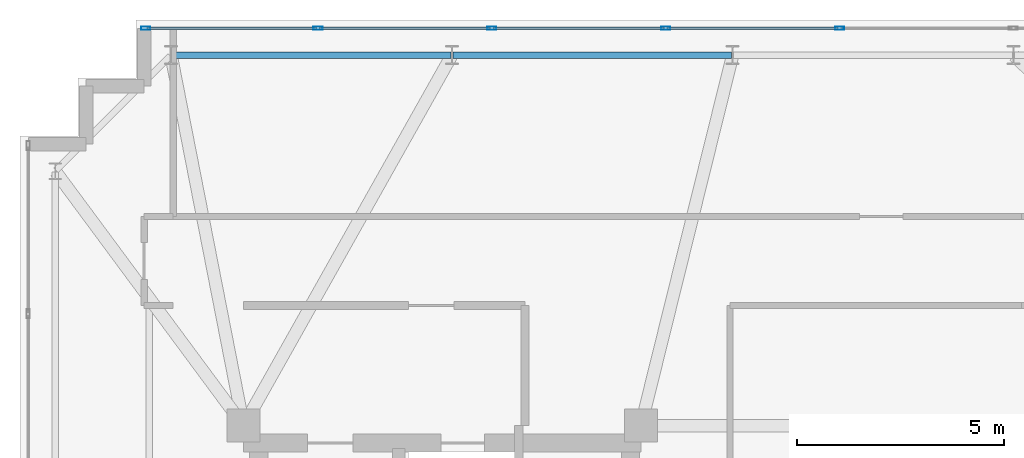
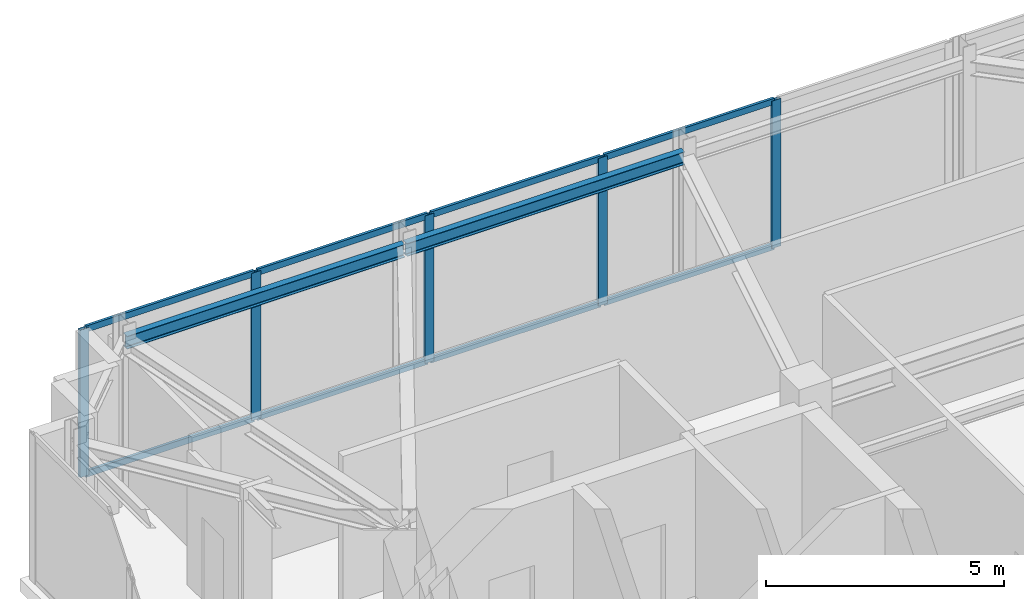
# One storey, part 15 of 24: 13 members, 2 beams, 1 element without a shape of its own.
"""IFC4 building model written with IfcOpenShell, lengths in metres."""

from ifc_helpers import new_model, si_unit, direction, frame, origin, origin_2d, place, context, subcontext, project, spatial, hollow_rectangle, i_section, extrude, material, layer, layer_set, material_profile, profile_set, type_object, element, aggregate, save


model = new_model("IFC4")

# Units and contexts
model_context = context("Model", 3, precision=1e-05, world=origin(), true_north=direction((0.0, 1.0)))
body_context = subcontext(model_context, "Body", "Model", "MODEL_VIEW")
ifc_project = project(units=[si_unit("LENGTHUNIT", "METRE"), si_unit("AREAUNIT", "SQUARE_METRE"), si_unit("VOLUMEUNIT", "CUBIC_METRE"), si_unit("PLANEANGLEUNIT", "RADIAN"), si_unit("MASSUNIT", "GRAM", prefix="KILO")], contexts=[model_context])

# Site, building, storey
site_placement = place(None, origin())
site = spatial("IfcSite", under=ifc_project, at=site_placement, CompositionType="ELEMENT")
building_placement = place(site_placement, origin())
building = spatial("IfcBuilding", under=site, at=building_placement, Name="Qobustan Lattice House", CompositionType="ELEMENT")
storey_placement = place(building_placement, frame((0.0, 0.0, 261.800048828125)))
storey = spatial("IfcBuildingStorey", under=building, at=storey_placement, Name="L74", CompositionType="ELEMENT", Elevation=261.800048828125)

# Beams
ifc_material_1 = material(Name="Steel S355", Category="steel")
ifc_material_profile_1 = material_profile(ifc_material_1, i_section(OverallWidth=0.159912109375, OverallDepth=0.330078125, WebThickness=0.007568359375, FlangeThickness=0.011474609375, FilletRadius=0.01806640625, at=origin_2d()), Name="IPE330")
ifc_profile_set_1 = profile_set([ifc_material_profile_1], Name="Steel S355")
beam_type = type_object("IfcBeamType", Name="BM-SPD-IPE330", PredefinedType="SPANDREL", material=ifc_profile_set_1)
beam_1_placement = place(storey_placement, frame((-7.00830078125, 14.550048828125, 3.614990234375), z_axis=(-1.0, 0.0, 0.0), x_axis=(0.0, -1.0, 0.0)))
element("IfcBeam", 1, at=beam_1_placement, inside=storey, type_object=beam_type, Name="L74 perimeter spandrel N5-N6", PredefinedType="SPANDREL", context=body_context, shape_type="SweptSolid", body=[
    extrude(i_section(OverallWidth=0.159912109375, OverallDepth=0.330078125, WebThickness=0.007568359375, FlangeThickness=0.011474609375, FilletRadius=0.01806640625, at=origin_2d()), origin(), (0.0, 0.0, 1.0), 6.7333984375),
])
beam_2_placement = place(storey_placement, frame((-13.791748046875, 14.550048828125, 3.614990234375), z_axis=(-1.0, 0.0, 0.0), x_axis=(0.0, -1.0, 0.0)))
element("IfcBeam", 2, at=beam_2_placement, inside=storey, type_object=beam_type, Name="L74 perimeter spandrel N6-N7", PredefinedType="SPANDREL", context=body_context, shape_type="SweptSolid", body=[
    extrude(i_section(OverallWidth=0.159912109375, OverallDepth=0.330078125, WebThickness=0.007568359375, FlangeThickness=0.011474609375, FilletRadius=0.01806640625, at=origin_2d()), origin(), (0.0, 0.0, 1.0), 6.733154296875),
])

# Curtain wall, members
ifc_material_2 = material(Name="Anodised aluminium and low-E glazing", Category="aluminium")
ifc_layer = layer(ifc_material_2, 0.219970703125)
ifc_layer_set = layer_set([ifc_layer], Name="Anodised aluminium and low-E glazing")
curtain_wall_type = type_object("IfcCurtainWallType", Name="CW-OBS-01", PredefinedType="USERDEFINED", material=ifc_layer_set)
curtain_wall_placement = place(storey_placement, origin())
curtain_wall = element("IfcCurtainWall", 3, at=curtain_wall_placement, inside=storey, type_object=curtain_wall_type, Name="L74 N panoramic observation curtain wall", ObjectType="CURTAIN WALL", PredefinedType="USERDEFINED")
ifc_material_3 = material(Name="Anodised aluminium EN AW-6063 T6", Category="aluminium")
ifc_material_profile_2 = material_profile(ifc_material_3, hollow_rectangle(XDim=0.080078125, YDim=0.219970703125, WallThickness=0.0048828125, at=origin_2d()), Name="CWM-220x80")
ifc_profile_set_2 = profile_set([ifc_material_profile_2], Name="Anodised aluminium EN AW-6063 T6")
member_type_1 = type_object("IfcMemberType", Name="CWM-MAIN-220", PredefinedType="MULLION", material=ifc_profile_set_2)
member_1_placement = place(storey_placement, frame((-21.159912109375, 15.199951171875, 0.0), z_axis=(0.0, 0.0, 1.0), x_axis=(0.0, 1.0, 0.0)))
member_1 = element("IfcMember", 4, at=member_1_placement, type_object=member_type_1, Name="CW-OB mullion 1", PredefinedType="MULLION", context=body_context, shape_type="SweptSolid", body=[
    extrude(hollow_rectangle(XDim=0.080078125, YDim=0.219970703125, WallThickness=0.0048828125, at=origin_2d()), origin(), (0.0, 0.0, 1.0), 3.780029296875),
])
member_2_placement = place(storey_placement, frame((-17.0, 15.199951171875, 0.0), z_axis=(0.0, 0.0, 1.0), x_axis=(0.0, 1.0, 0.0)))
member_2 = element("IfcMember", 5, at=member_2_placement, type_object=member_type_1, Name="CW-OB mullion 2", PredefinedType="MULLION", context=body_context, shape_type="SweptSolid", body=[
    extrude(hollow_rectangle(XDim=0.080078125, YDim=0.219970703125, WallThickness=0.0048828125, at=origin_2d()), origin(), (0.0, 0.0, 1.0), 3.780029296875),
])
member_3_placement = place(storey_placement, frame((-12.800048828125, 15.199951171875, 0.0), z_axis=(0.0, 0.0, 1.0), x_axis=(0.0, 1.0, 0.0)))
member_3 = element("IfcMember", 6, at=member_3_placement, type_object=member_type_1, Name="CW-OB mullion 3", PredefinedType="MULLION", context=body_context, shape_type="SweptSolid", body=[
    extrude(hollow_rectangle(XDim=0.080078125, YDim=0.219970703125, WallThickness=0.0048828125, at=origin_2d()), origin(), (0.0, 0.0, 1.0), 3.780029296875),
])
member_4_placement = place(storey_placement, frame((-8.60009765625, 15.199951171875, 0.0), z_axis=(0.0, 0.0, 1.0), x_axis=(0.0, 1.0, 0.0)))
member_4 = element("IfcMember", 7, at=member_4_placement, type_object=member_type_1, Name="CW-OB mullion 4", PredefinedType="MULLION", context=body_context, shape_type="SweptSolid", body=[
    extrude(hollow_rectangle(XDim=0.080078125, YDim=0.219970703125, WallThickness=0.0048828125, at=origin_2d()), origin(), (0.0, 0.0, 1.0), 3.780029296875),
])
member_5_placement = place(storey_placement, frame((-4.39990234375, 15.199951171875, 0.0), z_axis=(0.0, 0.0, 1.0), x_axis=(0.0, 1.0, 0.0)))
member_5 = element("IfcMember", 8, at=member_5_placement, type_object=member_type_1, Name="CW-OB mullion 5", PredefinedType="MULLION", context=body_context, shape_type="SweptSolid", body=[
    extrude(hollow_rectangle(XDim=0.080078125, YDim=0.219970703125, WallThickness=0.0048828125, at=origin_2d()), origin(), (0.0, 0.0, 1.0), 3.780029296875),
])
ifc_material_4 = material(Name="Anodised aluminium EN AW-6063 T6", Category="aluminium")
ifc_material_profile_3 = material_profile(ifc_material_4, hollow_rectangle(XDim=0.06494140625, YDim=0.159912109375, WallThickness=0.00390625, at=origin_2d()), Name="CWT-160x65")
ifc_profile_set_3 = profile_set([ifc_material_profile_3], Name="Anodised aluminium EN AW-6063 T6")
member_type_2 = type_object("IfcMemberType", Name="CWT-HOR-160", PredefinedType="USERDEFINED", material=ifc_profile_set_3)
member_6_placement = place(storey_placement, frame((-21.1201171875, 15.199951171875, 0.032470703125), z_axis=(1.0, 0.0, 0.0), x_axis=(0.0, 1.0, 0.0)))
member_6 = element("IfcMember", 9, at=member_6_placement, type_object=member_type_2, Name="CW-OB transom 1.1", ObjectType="TRANSOM", PredefinedType="USERDEFINED", context=body_context, shape_type="SweptSolid", body=[
    extrude(hollow_rectangle(XDim=0.06494140625, YDim=0.159912109375, WallThickness=0.00390625, at=origin_2d()), origin(), (0.0, 0.0, 1.0), 4.080078125),
])
member_7_placement = place(storey_placement, frame((-21.1201171875, 15.199951171875, 3.74755859375), z_axis=(1.0, 0.0, 0.0), x_axis=(0.0, 1.0, 0.0)))
member_7 = element("IfcMember", 10, at=member_7_placement, type_object=member_type_2, Name="CW-OB transom 1.2", ObjectType="TRANSOM", PredefinedType="USERDEFINED", context=body_context, shape_type="SweptSolid", body=[
    extrude(hollow_rectangle(XDim=0.06494140625, YDim=0.159912109375, WallThickness=0.00390625, at=origin_2d()), origin(), (0.0, 0.0, 1.0), 4.080078125),
])
member_8_placement = place(storey_placement, frame((-16.9599609375, 15.199951171875, 0.032470703125), z_axis=(1.0, 0.0, 0.0), x_axis=(0.0, 1.0, 0.0)))
member_8 = element("IfcMember", 11, at=member_8_placement, type_object=member_type_2, Name="CW-OB transom 2.1", ObjectType="TRANSOM", PredefinedType="USERDEFINED", context=body_context, shape_type="SweptSolid", body=[
    extrude(hollow_rectangle(XDim=0.06494140625, YDim=0.159912109375, WallThickness=0.00390625, at=origin_2d()), origin(), (0.0, 0.0, 1.0), 4.119873046875),
])
member_9_placement = place(storey_placement, frame((-16.9599609375, 15.199951171875, 3.74755859375), z_axis=(1.0, 0.0, 0.0), x_axis=(0.0, 1.0, 0.0)))
member_9 = element("IfcMember", 12, at=member_9_placement, type_object=member_type_2, Name="CW-OB transom 2.2", ObjectType="TRANSOM", PredefinedType="USERDEFINED", context=body_context, shape_type="SweptSolid", body=[
    extrude(hollow_rectangle(XDim=0.06494140625, YDim=0.159912109375, WallThickness=0.00390625, at=origin_2d()), origin(), (0.0, 0.0, 1.0), 4.119873046875),
])
member_10_placement = place(storey_placement, frame((-12.760009765625, 15.199951171875, 0.032470703125), z_axis=(1.0, 0.0, 0.0), x_axis=(0.0, 1.0, 0.0)))
member_10 = element("IfcMember", 13, at=member_10_placement, type_object=member_type_2, Name="CW-OB transom 3.1", ObjectType="TRANSOM", PredefinedType="USERDEFINED", context=body_context, shape_type="SweptSolid", body=[
    extrude(hollow_rectangle(XDim=0.06494140625, YDim=0.159912109375, WallThickness=0.00390625, at=origin_2d()), origin(), (0.0, 0.0, 1.0), 4.1201171875),
])
member_11_placement = place(storey_placement, frame((-12.760009765625, 15.199951171875, 3.74755859375), z_axis=(1.0, 0.0, 0.0), x_axis=(0.0, 1.0, 0.0)))
member_11 = element("IfcMember", 14, at=member_11_placement, type_object=member_type_2, Name="CW-OB transom 3.2", ObjectType="TRANSOM", PredefinedType="USERDEFINED", context=body_context, shape_type="SweptSolid", body=[
    extrude(hollow_rectangle(XDim=0.06494140625, YDim=0.159912109375, WallThickness=0.00390625, at=origin_2d()), origin(), (0.0, 0.0, 1.0), 4.1201171875),
])
member_12_placement = place(storey_placement, frame((-8.56005859375, 15.199951171875, 0.032470703125), z_axis=(1.0, 0.0, 0.0), x_axis=(0.0, 1.0, 0.0)))
member_12 = element("IfcMember", 15, at=member_12_placement, type_object=member_type_2, Name="CW-OB transom 4.1", ObjectType="TRANSOM", PredefinedType="USERDEFINED", context=body_context, shape_type="SweptSolid", body=[
    extrude(hollow_rectangle(XDim=0.06494140625, YDim=0.159912109375, WallThickness=0.00390625, at=origin_2d()), origin(), (0.0, 0.0, 1.0), 4.1201171875),
])
member_13_placement = place(storey_placement, frame((-8.56005859375, 15.199951171875, 3.74755859375), z_axis=(1.0, 0.0, 0.0), x_axis=(0.0, 1.0, 0.0)))
member_13 = element("IfcMember", 16, at=member_13_placement, type_object=member_type_2, Name="CW-OB transom 4.2", ObjectType="TRANSOM", PredefinedType="USERDEFINED", context=body_context, shape_type="SweptSolid", body=[
    extrude(hollow_rectangle(XDim=0.06494140625, YDim=0.159912109375, WallThickness=0.00390625, at=origin_2d()), origin(), (0.0, 0.0, 1.0), 4.1201171875),
])
aggregate(curtain_wall, [member_1, member_2, member_3, member_4, member_5, member_6, member_7, member_8, member_9, member_10, member_11, member_12, member_13])

save(model, "model.ifc")
